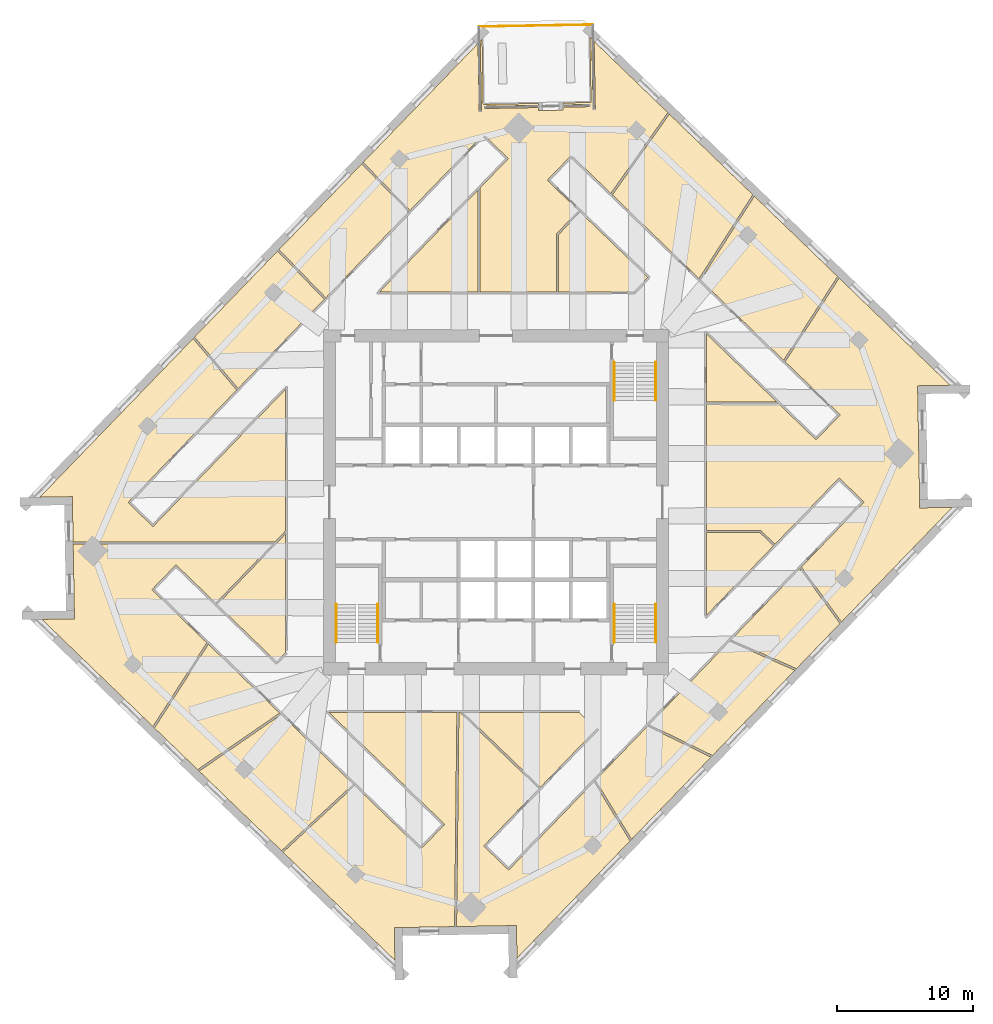
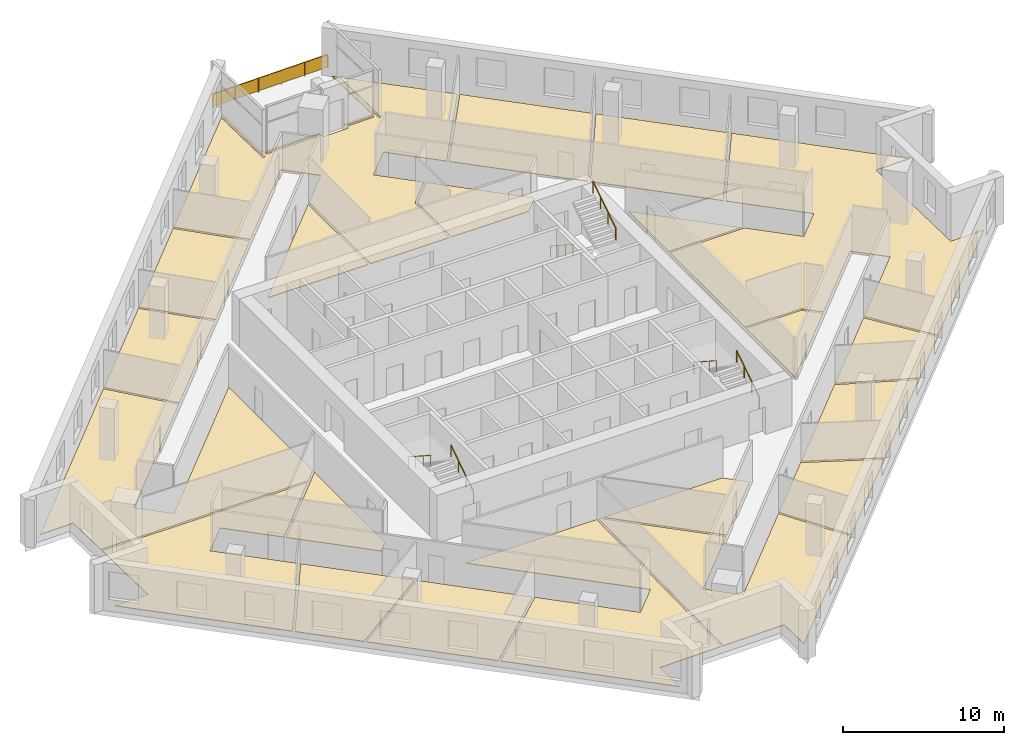
# One storey, part 12 of 13: 21 coverings, 7 railings.
"""IFC4 building model written with IfcOpenShell, lengths in metres."""

from ifc_helpers import new_model, si_unit, direction, frame, origin, origin_2d, place, context, subcontext, project, spatial, polyline, rectangle, circle, outline, extrude, material, layer, layer_set, type_object, element, save


model = new_model("IFC4")

# Units and contexts
model_context = context("Model", 3, precision=1e-05, world=origin(), true_north=direction((0.0, 1.0)))
body_context = subcontext(model_context, "Body", "Model", "MODEL_VIEW")
ifc_project = project(units=[si_unit("LENGTHUNIT", "METRE"), si_unit("AREAUNIT", "SQUARE_METRE"), si_unit("VOLUMEUNIT", "CUBIC_METRE"), si_unit("PLANEANGLEUNIT", "RADIAN"), si_unit("MASSUNIT", "GRAM", prefix="KILO")], contexts=[model_context])

# Site, building, storey
site_placement = place(None, origin())
site = spatial("IfcSite", under=ifc_project, at=site_placement, CompositionType="ELEMENT")
building_placement = place(site_placement, origin())
building = spatial("IfcBuilding", under=site, at=building_placement, Name="Dilmun Exchange Tower", CompositionType="ELEMENT")
storey_placement = place(building_placement, frame((0.0, 0.0, 213.300048828125)))
storey = spatial("IfcBuildingStorey", under=building, at=storey_placement, Name="L50", CompositionType="ELEMENT", Elevation=213.300048828125)

# Coverings
ifc_material_1 = material(Name="Carpet floor finish 50")
ifc_layer_1 = layer(ifc_material_1, 0.050048828125)
ifc_layer_set_1 = layer_set([ifc_layer_1], Name="Carpet floor finish 50")
covering_type_1 = type_object("IfcCoveringType", Name="Carpet floor finish 50", PredefinedType="FLOORING", material=ifc_layer_set_1)
covering_1_placement = place(storey_placement, origin())
element("IfcCovering", 1, at=covering_1_placement, inside=storey, type_object=covering_type_1, Name="Carpet floor finish 50 Members library", PredefinedType="FLOORING", context=body_context, shape_type="SweptSolid", body=[
    extrude(outline(polyline([(-23.539794921875, -4.594482421875), (-25.311279296875, -6.428955078125), (-21.268310546875, -10.333251953125), (-25.23681640625, -16.497314453125), (-33.4033203125, -8.61083984375), (-31.010498046875, -8.569091796875), (-31.01025390625, -8.569091796875), (-31.010009765625, -8.569091796875), (-31.010009765625, -8.569091796875), (-31.009765625, -8.569091796875), (-31.009521484375, -8.56884765625), (-31.009521484375, -8.56884765625), (-31.00927734375, -8.568603515625), (-31.009033203125, -8.568603515625), (-31.009033203125, -8.568359375), (-31.0087890625, -8.568115234375), (-31.0087890625, -8.568115234375), (-31.0087890625, -8.56787109375), (-31.008544921875, -8.567626953125), (-31.008544921875, -8.5673828125), (-31.008544921875, -8.5673828125), (-31.008544921875, -8.567138671875), (-31.01904296875, -7.96728515625), (-31.01904296875, -7.967041015625), (-31.01904296875, -7.967041015625), (-31.1044921875, -3.06982421875), (-16.412353515625, -3.06982421875), (-20.61376953125, -7.42041015625), (-23.539794921875, -4.594482421875)])), origin(), (0.0, 0.0, 1.0), 0.050048828125),
])
covering_2_placement = place(storey_placement, origin())
element("IfcCovering", 2, at=covering_2_placement, inside=storey, type_object=covering_type_1, Name="Carpet floor finish 50 Club dining room", PredefinedType="FLOORING", context=body_context, shape_type="SweptSolid", body=[
    extrude(outline(polyline([(-16.267333984375, -2.919921875), (-31.107177734375, -2.919921875), (-31.15478515625, -0.190185546875), (-31.15478515625, -0.18994140625), (-31.15478515625, -0.18994140625), (-31.165283203125, 0.40966796875), (-31.165283203125, 0.409912109375), (-31.165283203125, 0.41015625), (-31.165283203125, 0.410400390625), (-31.165283203125, 0.410400390625), (-31.16552734375, 0.41064453125), (-31.16552734375, 0.410888671875), (-31.165771484375, 0.410888671875), (-31.165771484375, 0.4111328125), (-31.166015625, 0.4111328125), (-31.166259765625, 0.411376953125), (-31.166259765625, 0.411376953125), (-31.16650390625, 0.41162109375), (-31.166748046875, 0.41162109375), (-31.1669921875, 0.41162109375), (-31.1669921875, 0.41162109375), (-31.167236328125, 0.41162109375), (-33.559814453125, 0.369873046875), (-22.28515625, 12.04541015625), (-19.07421875, 8.2578125), (-27.06640625, -0.01806640625), (-25.23193359375, -1.78955078125), (-15.47509765625, 8.314208984375), (-15.47509765625, -2.09912109375), (-16.267333984375, -2.919921875)])), origin(), (0.0, 0.0, 1.0), 0.050048828125),
])
covering_3_placement = place(storey_placement, origin())
element("IfcCovering", 3, at=covering_3_placement, inside=storey, type_object=covering_type_1, Name="Carpet floor finish 50 Meeting room 1", PredefinedType="FLOORING", context=body_context, shape_type="SweptSolid", body=[
    extrude(outline(polyline([(-21.158203125, -10.439453125), (-15.913818359375, -15.50390625), (-21.94970703125, -19.67138671875), (-25.126708984375, -16.603515625), (-21.158203125, -10.439453125)])), origin(), (0.0, 0.0, 1.0), 0.050048828125),
])
covering_4_placement = place(storey_placement, origin())
element("IfcCovering", 4, at=covering_4_placement, inside=storey, type_object=covering_type_1, Name="Carpet floor finish 50 Meeting room 2", PredefinedType="FLOORING", context=body_context, shape_type="SweptSolid", body=[
    extrude(outline(polyline([(-12.62939453125, 14.931884765625), (-18.969482421875, 8.3662109375), (-22.180419921875, 12.15380859375), (-16.069091796875, 18.482421875), (-12.62939453125, 14.931884765625)])), origin(), (0.0, 0.0, 1.0), 0.050048828125),
])
covering_5_placement = place(storey_placement, origin())
element("IfcCovering", 5, at=covering_5_placement, inside=storey, type_object=covering_type_1, Name="Carpet floor finish 50 Business centre 1", PredefinedType="FLOORING", context=body_context, shape_type="SweptSolid", body=[
    extrude(outline(polyline([(-10.498291015625, -20.733642578125), (-15.776611328125, -25.6328125), (-21.839599609375, -19.77783203125), (-15.803955078125, -15.610107421875), (-10.498291015625, -20.733642578125)])), origin(), (0.0, 0.0, 1.0), 0.050048828125),
])
covering_6_placement = place(storey_placement, origin())
element("IfcCovering", 6, at=covering_6_placement, inside=storey, type_object=covering_type_1, Name="Carpet floor finish 50 Serviced office 1", PredefinedType="FLOORING", context=body_context, shape_type="SweptSolid", body=[
    extrude(outline(polyline([(-6.427490234375, 21.35400390625), (-12.525146484375, 15.039794921875), (-15.964599609375, 18.59033203125), (-9.87890625, 24.892578125), (-6.427490234375, 21.35400390625)])), origin(), (0.0, 0.0, 1.0), 0.050048828125),
])
covering_7_placement = place(storey_placement, origin())
element("IfcCovering", 7, at=covering_7_placement, inside=storey, type_object=covering_type_1, Name="Carpet floor finish 50 Members lounge", PredefinedType="FLOORING", context=body_context, shape_type="SweptSolid", body=[
    extrude(outline(polyline([(-10.39013671875, -20.837890625), (-5.54150390625, -25.520263671875), (-3.770263671875, -23.68603515625), (-12.27294921875, -15.47509765625), (-2.879638671875, -15.47509765625), (-3.04931640625, -31.211181640625), (-6.8798828125, -31.278076171875), (-6.8798828125, -31.2783203125), (-6.8798828125, -31.2783203125), (-7.479736328125, -31.28857421875), (-7.47998046875, -31.28857421875), (-7.47998046875, -31.288818359375), (-7.480224609375, -31.288818359375), (-7.48046875, -31.288818359375), (-7.480712890625, -31.288818359375), (-7.480712890625, -31.2890625), (-7.48095703125, -31.2890625), (-7.481201171875, -31.289306640625), (-7.481201171875, -31.289306640625), (-7.481201171875, -31.28955078125), (-7.4814453125, -31.289794921875), (-7.4814453125, -31.289794921875), (-7.481689453125, -31.2900390625), (-7.481689453125, -31.290283203125), (-7.481689453125, -31.29052734375), (-7.481689453125, -31.290771484375), (-7.43994140625, -33.683349609375), (-15.66845703125, -25.737060546875), (-10.39013671875, -20.837890625)])), origin(), (0.0, 0.0, 1.0), 0.050048828125),
])
covering_8_placement = place(storey_placement, origin())
element("IfcCovering", 8, at=covering_8_placement, inside=storey, type_object=covering_type_1, Name="Carpet floor finish 50 Garden lounge", PredefinedType="FLOORING", context=body_context, shape_type="SweptSolid", body=[
    extrude(outline(polyline([(0.90771484375, 25.279052734375), (-0.926513671875, 27.05029296875), (-6.3232421875, 21.4619140625), (-9.774658203125, 25.00048828125), (-1.32470703125, 33.75048828125), (-1.2373046875, 28.73828125), (-1.2373046875, 28.738037109375), (-1.2373046875, 28.73779296875), (-1.2373046875, 28.737548828125), (-1.237060546875, 28.7373046875), (-1.237060546875, 28.7373046875), (-1.23681640625, 28.737060546875), (-1.23681640625, 28.73681640625), (-1.23681640625, 28.73681640625), (-1.236572265625, 28.736572265625), (-1.236328125, 28.736572265625), (-1.236083984375, 28.736328125), (-1.236083984375, 28.736328125), (-1.23583984375, 28.736328125), (-1.235595703125, 28.736083984375), (-1.2353515625, 28.736083984375), (-1.2353515625, 28.736083984375), (-1.0751953125, 28.739013671875), (-1.0751953125, 28.739013671875), (-1.074951171875, 28.739013671875), (-1.07470703125, 28.739013671875), (-1.074462890625, 28.7392578125), (-1.07421875, 28.7392578125), (-1.07421875, 28.739501953125), (-1.073974609375, 28.739501953125), (-1.073974609375, 28.739501953125), (-1.07373046875, 28.73974609375), (-1.073486328125, 28.739990234375), (-1.073486328125, 28.739990234375), (-1.073486328125, 28.740234375), (-1.073486328125, 28.740478515625), (-1.0732421875, 28.740478515625), (-1.0732421875, 28.74072265625), (-1.0732421875, 28.740966796875), (-1.163818359375, 33.91748046875), (-1.023193359375, 34.062744140625), (-0.939453125, 29.268310546875), (3.1220703125, 29.33935546875), (3.12451171875, 29.1962890625), (-0.862060546875, 29.126708984375), (-0.8623046875, 29.126708984375), (-0.8623046875, 29.126708984375), (-0.862548828125, 29.126708984375), (-0.86279296875, 29.12646484375), (-0.863037109375, 29.12646484375), (-0.863037109375, 29.126220703125), (-0.86328125, 29.126220703125), (-0.86328125, 29.126220703125), (-0.863525390625, 29.1259765625), (-0.86376953125, 29.125732421875), (-0.86376953125, 29.12548828125), (-0.864013671875, 29.12548828125), (-0.864013671875, 29.125244140625), (-0.864013671875, 29.125), (-0.864013671875, 29.124755859375), (-0.864013671875, 29.124755859375), (-0.861083984375, 28.964599609375), (-0.861083984375, 28.964599609375), (-0.861083984375, 28.96435546875), (-0.861083984375, 28.964111328125), (-0.861083984375, 28.9638671875), (-0.86083984375, 28.963623046875), (-0.86083984375, 28.963623046875), (-0.860595703125, 28.96337890625), (-0.860595703125, 28.96337890625), (-0.8603515625, 28.963134765625), (-0.8603515625, 28.962890625), (-0.860107421875, 28.962890625), (-0.85986328125, 28.962890625), (-0.859619140625, 28.962890625), (-0.859619140625, 28.962646484375), (-0.859375, 28.962646484375), (-0.859130859375, 28.962646484375), (3.127197265625, 29.032470703125), (3.131103515625, 28.814453125), (3.131103515625, 28.814208984375), (3.131103515625, 28.81396484375), (3.131103515625, 28.813720703125), (3.13134765625, 28.813720703125), (3.13134765625, 28.8134765625), (3.131591796875, 28.813232421875), (3.131591796875, 28.813232421875), (3.131591796875, 28.81298828125), (3.1318359375, 28.81298828125), (3.132080078125, 28.812744140625), (3.132080078125, 28.812744140625), (3.13232421875, 28.8125), (3.132568359375, 28.8125), (3.1328125, 28.8125), (3.133056640625, 28.8125), (3.13330078125, 28.8125), (4.932861328125, 28.84375), (4.93310546875, 28.843994140625), (4.933349609375, 28.843994140625), (4.933349609375, 28.843994140625), (4.93359375, 28.843994140625), (4.933837890625, 28.843994140625), (4.93408203125, 28.84423828125), (4.93408203125, 28.84423828125), (4.934326171875, 28.844482421875), (4.934326171875, 28.844482421875), (4.9345703125, 28.8447265625), (4.9345703125, 28.844970703125), (4.934814453125, 28.84521484375), (4.934814453125, 28.84521484375), (4.934814453125, 28.845458984375), (4.934814453125, 28.845703125), (4.934814453125, 28.845947265625), (4.930908203125, 29.063720703125), (6.917724609375, 29.098388671875), (6.91796875, 29.098388671875), (6.918212890625, 29.0986328125), (6.91845703125, 29.0986328125), (6.918701171875, 29.0986328125), (6.918701171875, 29.098876953125), (6.9189453125, 29.098876953125), (6.919189453125, 29.09912109375), (6.919189453125, 29.09912109375), (6.91943359375, 29.099365234375), (6.91943359375, 29.099365234375), (6.919677734375, 29.099609375), (6.919677734375, 29.099853515625), (6.919677734375, 29.10009765625), (6.919921875, 29.10009765625), (6.919921875, 29.100341796875), (6.919921875, 29.1005859375), (6.9169921875, 29.260498046875), (6.9169921875, 29.2607421875), (6.9169921875, 29.260986328125), (6.9169921875, 29.260986328125), (6.916748046875, 29.26123046875), (6.916748046875, 29.261474609375), (6.91650390625, 29.26171875), (6.91650390625, 29.26171875), (6.91650390625, 29.261962890625), (6.916259765625, 29.26220703125), (6.916015625, 29.26220703125), (6.916015625, 29.26220703125), (6.915771484375, 29.26220703125), (6.91552734375, 29.262451171875), (6.915283203125, 29.262451171875), (6.915283203125, 29.262451171875), (6.9150390625, 29.262451171875), (4.92822265625, 29.227783203125), (4.92578125, 29.370849609375), (6.987548828125, 29.40673828125), (6.90380859375, 34.201171875), (7.04931640625, 34.060546875), (7.1396484375, 28.884521484375), (7.1396484375, 28.88427734375), (7.1396484375, 28.884033203125), (7.1396484375, 28.8837890625), (7.139892578125, 28.883544921875), (7.139892578125, 28.88330078125), (7.139892578125, 28.88330078125), (7.14013671875, 28.883056640625), (7.14013671875, 28.883056640625), (7.140380859375, 28.8828125), (7.140380859375, 28.8828125), (7.140625, 28.882568359375), (7.140869140625, 28.882568359375), (7.14111328125, 28.882568359375), (7.141357421875, 28.88232421875), (7.1416015625, 28.88232421875), (7.1416015625, 28.88232421875), (7.301513671875, 28.88525390625), (7.3017578125, 28.88525390625), (7.302001953125, 28.88525390625), (7.30224609375, 28.88525390625), (7.302490234375, 28.885498046875), (7.302490234375, 28.885498046875), (7.302734375, 28.885498046875), (7.302978515625, 28.8857421875), (7.302978515625, 28.8857421875), (7.30322265625, 28.885986328125), (7.30322265625, 28.885986328125), (7.303466796875, 28.88623046875), (7.303466796875, 28.886474609375), (7.303466796875, 28.88671875), (7.3037109375, 28.88671875), (7.3037109375, 28.886962890625), (7.3037109375, 28.88720703125), (7.216064453125, 33.8994140625), (12.639892578125, 28.661865234375), (8.444580078125, 22.716796875), (5.54150390625, 25.520263671875), (3.770263671875, 23.68603515625), (6.08740234375, 21.4482421875), (4.459228515625, 19.762451171875), (4.459228515625, 15.47509765625), (-1.1845703125, 15.47509765625), (-1.1845703125, 23.1123046875), (0.90771484375, 25.279052734375)])), origin(), (0.0, 0.0, 1.0), 0.050048828125),
])
covering_9_placement = place(storey_placement, origin())
element("IfcCovering", 9, at=covering_9_placement, inside=storey, type_object=covering_type_1, Name="Carpet floor finish 50 Cafe", PredefinedType="FLOORING", context=body_context, shape_type="SweptSolid", body=[
    extrude(outline(polyline([(7.2001953125, -20.553955078125), (9.8662109375, -24.905517578125), (1.541015625, -33.526611328125), (1.499267578125, -31.1337890625), (1.4990234375, -31.1337890625), (1.4990234375, -31.133544921875), (1.4990234375, -31.13330078125), (1.4990234375, -31.13330078125), (1.498779296875, -31.133056640625), (1.498779296875, -31.1328125), (1.498779296875, -31.1328125), (1.49853515625, -31.132568359375), (1.498291015625, -31.13232421875), (1.498291015625, -31.13232421875), (1.498046875, -31.132080078125), (1.497802734375, -31.132080078125), (1.497802734375, -31.132080078125), (1.49755859375, -31.132080078125), (1.497314453125, -31.132080078125), (1.4970703125, -31.132080078125), (0.897216796875, -31.142333984375), (0.89697265625, -31.142333984375), (0.89697265625, -31.142578125), (-2.8994140625, -31.208740234375), (-2.729736328125, -15.47509765625), (-2.629638671875, -15.47509765625), (3.160400390625, -21.06640625), (-0.90771484375, -25.279052734375), (0.926513671875, -27.05029296875), (7.2001953125, -20.553955078125)])), origin(), (0.0, 0.0, 1.0), 0.050048828125),
])
covering_10_placement = place(storey_placement, origin())
element("IfcCovering", 10, at=covering_10_placement, inside=storey, type_object=covering_type_1, Name="Carpet floor finish 50 Business centre 2", PredefinedType="FLOORING", context=body_context, shape_type="SweptSolid", body=[
    extrude(outline(polyline([(10.147705078125, 15.47509765625), (4.609130859375, 15.47509765625), (4.609130859375, 19.701904296875), (6.1953125, 21.343994140625), (11.17333984375, 16.536865234375), (10.147705078125, 15.47509765625)])), origin(), (0.0, 0.0, 1.0), 0.050048828125),
])
covering_11_placement = place(storey_placement, origin())
element("IfcCovering", 11, at=covering_11_placement, inside=storey, type_object=covering_type_1, Name="Carpet floor finish 50 Serviced office 2", PredefinedType="FLOORING", context=body_context, shape_type="SweptSolid", body=[
    extrude(outline(polyline([(15.81591796875, -18.74462890625), (9.973876953125, -24.794189453125), (7.307861328125, -20.4423828125), (11.14599609375, -16.4677734375), (15.81591796875, -18.74462890625)])), origin(), (0.0, 0.0, 1.0), 0.050048828125),
])
covering_12_placement = place(storey_placement, origin())
element("IfcCovering", 12, at=covering_12_placement, inside=storey, type_object=covering_type_1, Name="Carpet floor finish 50 Serviced office 3", PredefinedType="FLOORING", context=body_context, shape_type="SweptSolid", body=[
    extrude(outline(polyline([(14.931396484375, 16.45263671875), (8.5537109375, 22.611328125), (12.7490234375, 28.556396484375), (18.89306640625, 22.623291015625), (14.931396484375, 16.45263671875)])), origin(), (0.0, 0.0, 1.0), 0.050048828125),
])
covering_13_placement = place(storey_placement, origin())
element("IfcCovering", 13, at=covering_13_placement, inside=storey, type_object=covering_type_1, Name="Carpet floor finish 50 Serviced office 4", PredefinedType="FLOORING", context=body_context, shape_type="SweptSolid", body=[
    extrude(outline(polyline([(11.255615234375, -16.354248046875), (17.171630859375, -10.22802734375), (21.986572265625, -12.3544921875), (15.92529296875, -18.631103515625), (11.255615234375, -16.354248046875)])), origin(), (0.0, 0.0, 1.0), 0.050048828125),
])
covering_14_placement = place(storey_placement, origin())
element("IfcCovering", 14, at=covering_14_placement, inside=storey, type_object=covering_type_1, Name="Carpet floor finish 50 Business centre 3", PredefinedType="FLOORING", context=body_context, shape_type="SweptSolid", body=[
    extrude(outline(polyline([(15.47509765625, -2.2373046875), (19.42333984375, -2.2373046875), (20.416748046875, -3.19677734375), (15.47509765625, -8.314208984375), (15.47509765625, -2.2373046875)])), origin(), (0.0, 0.0, 1.0), 0.050048828125),
])
covering_15_placement = place(storey_placement, origin())
element("IfcCovering", 15, at=covering_15_placement, inside=storey, type_object=covering_type_1, Name="Carpet floor finish 50 Business centre 4", PredefinedType="FLOORING", context=body_context, shape_type="SweptSolid", body=[
    extrude(outline(polyline([(17.28271484375, -10.113037109375), (22.345703125, -4.870361328125), (25.30419921875, -8.9189453125), (22.097412109375, -12.239501953125), (17.28271484375, -10.113037109375)])), origin(), (0.0, 0.0, 1.0), 0.050048828125),
])
covering_16_placement = place(storey_placement, origin())
element("IfcCovering", 16, at=covering_16_placement, inside=storey, type_object=covering_type_1, Name="Carpet floor finish 50 Co-working hall", PredefinedType="FLOORING", context=body_context, shape_type="SweptSolid", body=[
    extrude(outline(polyline([(23.539794921875, 4.594482421875), (25.311279296875, 6.428955078125), (21.2626953125, 10.338623046875), (25.236328125, 16.497802734375), (33.4033203125, 8.61083984375), (31.010498046875, 8.569091796875), (31.01025390625, 8.569091796875), (31.010009765625, 8.569091796875), (31.010009765625, 8.569091796875), (31.009765625, 8.569091796875), (31.009521484375, 8.56884765625), (31.009521484375, 8.56884765625), (31.00927734375, 8.568603515625), (31.009033203125, 8.568603515625), (31.009033203125, 8.568359375), (31.0087890625, 8.568115234375), (31.0087890625, 8.568115234375), (31.0087890625, 8.56787109375), (31.008544921875, 8.567626953125), (31.008544921875, 8.5673828125), (31.008544921875, 8.5673828125), (31.008544921875, 8.567138671875), (31.01904296875, 7.96728515625), (31.01904296875, 7.967041015625), (31.01904296875, 7.967041015625), (31.15478515625, 0.190185546875), (31.15478515625, 0.18994140625), (31.15478515625, 0.18994140625), (31.165283203125, -0.40966796875), (31.165283203125, -0.409912109375), (31.165283203125, -0.41015625), (31.165283203125, -0.410400390625), (31.165283203125, -0.410400390625), (31.16552734375, -0.41064453125), (31.16552734375, -0.410888671875), (31.165771484375, -0.410888671875), (31.165771484375, -0.4111328125), (31.166015625, -0.4111328125), (31.166259765625, -0.411376953125), (31.166259765625, -0.411376953125), (31.16650390625, -0.41162109375), (31.166748046875, -0.41162109375), (31.1669921875, -0.41162109375), (31.1669921875, -0.41162109375), (31.167236328125, -0.41162109375), (33.559814453125, -0.369873046875), (25.409912109375, -8.809326171875), (22.451416015625, -4.7607421875), (27.06640625, 0.01806640625), (25.23193359375, 1.78955078125), (20.52099609375, -3.0888671875), (19.48388671875, -2.087158203125), (15.47509765625, -2.087158203125), (15.47509765625, 7.21826171875), (20.822998046875, 7.21826171875), (23.539794921875, 4.594482421875)])), origin(), (0.0, 0.0, 1.0), 0.050048828125),
])

# Railings
ifc_material_2 = material(Name="Stainless steel", Category="steel")
railing_type_1 = type_object("IfcRailingType", Name="Stair handrail 900", PredefinedType="HANDRAIL", material=ifc_material_2)
railing_1_placement = place(storey_placement, frame((8.699951171875, 10.300048828125, 0.181884765625)))
element("IfcRailing", 17, at=railing_1_placement, inside=storey, type_object=railing_type_1, Name="L50 ST1 stair handrail 1", PredefinedType="HANDRAIL", context=body_context, shape_type="SweptSolid", body=[
    extrude(circle(Radius=0.02392578125, at=origin_2d()), frame((0.0, 0.0, 0.8759765625), z_axis=(0.0, -0.838705829183, 0.544584733623), x_axis=(1.0, 0.0, 0.0)), (0.0, 0.0, 1.0), 3.338623046875),
    extrude(circle(Radius=0.02099609375, at=origin_2d()), origin(), (0.0, 0.0, 1.0), 0.851806640625),
    extrude(circle(Radius=0.02099609375, at=origin_2d()), frame((0.0, -0.933349609375, 0.60595703125)), (0.0, 0.0, 1.0), 0.851806640625),
    extrude(circle(Radius=0.02099609375, at=origin_2d()), frame((0.0, -1.86669921875, 1.212158203125)), (0.0, 0.0, 1.0), 0.851806640625),
    extrude(circle(Radius=0.02099609375, at=origin_2d()), frame((0.0, -2.800048828125, 1.818115234375)), (0.0, 0.0, 1.0), 0.851806640625),
])
for number, where, name in (
    (18, (11.75, 7.5, 2.181884765625), "L50 ST1 stair handrail 2"),
    (19, (-8.699951171875, -10.300048828125, 0.181884765625), "L50 ST2 stair handrail 1"),
):
    element("IfcRailing", number, at=place(storey_placement, frame(where)), inside=storey, type_object=railing_type_1, Name=name, PredefinedType="HANDRAIL", context=body_context, shape_type="SweptSolid", body=[
        extrude(circle(Radius=0.02392578125, at=origin_2d()), frame((0.0, 0.0, 0.8759765625), z_axis=(0.0, 0.838705829183, 0.544584733623), x_axis=(-1.0, 0.0, 0.0)), (0.0, 0.0, 1.0), 3.338623046875),
        extrude(circle(Radius=0.02099609375, at=origin_2d()), origin(), (0.0, 0.0, 1.0), 0.851806640625),
        extrude(circle(Radius=0.02099609375, at=origin_2d()), frame((0.0, 0.933349609375, 0.60595703125)), (0.0, 0.0, 1.0), 0.851806640625),
        extrude(circle(Radius=0.02099609375, at=origin_2d()), frame((0.0, 1.86669921875, 1.212158203125)), (0.0, 0.0, 1.0), 0.851806640625),
        extrude(circle(Radius=0.02099609375, at=origin_2d()), frame((0.0, 2.800048828125, 1.818115234375)), (0.0, 0.0, 1.0), 0.851806640625),
    ])
railing_2_placement = place(storey_placement, frame((-11.75, -7.5, 2.181884765625)))
element("IfcRailing", 20, at=railing_2_placement, inside=storey, type_object=railing_type_1, Name="L50 ST2 stair handrail 2", PredefinedType="HANDRAIL", context=body_context, shape_type="SweptSolid", body=[
    extrude(circle(Radius=0.02392578125, at=origin_2d()), frame((0.0, 0.0, 0.8759765625), z_axis=(0.0, -0.838705829183, 0.544584733623), x_axis=(1.0, 0.0, 0.0)), (0.0, 0.0, 1.0), 3.338623046875),
    extrude(circle(Radius=0.02099609375, at=origin_2d()), origin(), (0.0, 0.0, 1.0), 0.851806640625),
    extrude(circle(Radius=0.02099609375, at=origin_2d()), frame((0.0, -0.933349609375, 0.60595703125)), (0.0, 0.0, 1.0), 0.851806640625),
    extrude(circle(Radius=0.02099609375, at=origin_2d()), frame((0.0, -1.86669921875, 1.212158203125)), (0.0, 0.0, 1.0), 0.851806640625),
    extrude(circle(Radius=0.02099609375, at=origin_2d()), frame((0.0, -2.800048828125, 1.818115234375)), (0.0, 0.0, 1.0), 0.851806640625),
])
railing_3_placement = place(storey_placement, frame((11.75, -10.300048828125, 0.181884765625)))
element("IfcRailing", 21, at=railing_3_placement, inside=storey, type_object=railing_type_1, Name="L50 ST3 stair handrail 1", PredefinedType="HANDRAIL", context=body_context, shape_type="SweptSolid", body=[
    extrude(circle(Radius=0.02392578125, at=origin_2d()), frame((0.0, 0.0, 0.8759765625), z_axis=(0.0, 0.838705829183, 0.544584733623), x_axis=(-1.0, 0.0, 0.0)), (0.0, 0.0, 1.0), 3.338623046875),
    extrude(circle(Radius=0.02099609375, at=origin_2d()), origin(), (0.0, 0.0, 1.0), 0.851806640625),
    extrude(circle(Radius=0.02099609375, at=origin_2d()), frame((0.0, 0.933349609375, 0.60595703125)), (0.0, 0.0, 1.0), 0.851806640625),
    extrude(circle(Radius=0.02099609375, at=origin_2d()), frame((0.0, 1.86669921875, 1.212158203125)), (0.0, 0.0, 1.0), 0.851806640625),
    extrude(circle(Radius=0.02099609375, at=origin_2d()), frame((0.0, 2.800048828125, 1.818115234375)), (0.0, 0.0, 1.0), 0.851806640625),
])
railing_4_placement = place(storey_placement, frame((8.699951171875, -7.5, 2.181884765625)))
element("IfcRailing", 22, at=railing_4_placement, inside=storey, type_object=railing_type_1, Name="L50 ST3 stair handrail 2", PredefinedType="HANDRAIL", context=body_context, shape_type="SweptSolid", body=[
    extrude(circle(Radius=0.02392578125, at=origin_2d()), frame((0.0, 0.0, 0.8759765625), z_axis=(0.0, -0.838705829183, 0.544584733623), x_axis=(1.0, 0.0, 0.0)), (0.0, 0.0, 1.0), 3.338623046875),
    extrude(circle(Radius=0.02099609375, at=origin_2d()), origin(), (0.0, 0.0, 1.0), 0.851806640625),
    extrude(circle(Radius=0.02099609375, at=origin_2d()), frame((0.0, -0.933349609375, 0.60595703125)), (0.0, 0.0, 1.0), 0.851806640625),
    extrude(circle(Radius=0.02099609375, at=origin_2d()), frame((0.0, -1.86669921875, 1.212158203125)), (0.0, 0.0, 1.0), 0.851806640625),
    extrude(circle(Radius=0.02099609375, at=origin_2d()), frame((0.0, -2.800048828125, 1.818115234375)), (0.0, 0.0, 1.0), 0.851806640625),
])

# Coverings
ifc_material_3 = material(Name="Stone floor finish 50", Category="masonry")
ifc_layer_2 = layer(ifc_material_3, 0.050048828125)
ifc_layer_set_2 = layer_set([ifc_layer_2], Name="Stone floor finish 50")
covering_type_2 = type_object("IfcCoveringType", Name="Stone floor finish 50", PredefinedType="FLOORING", material=ifc_layer_set_2)
covering_17_placement = place(storey_placement, origin())
element("IfcCovering", 23, at=covering_17_placement, inside=storey, type_object=covering_type_2, Name="Stone floor finish 50 Reception 1", PredefinedType="FLOORING", context=body_context, shape_type="SweptSolid", body=[
    extrude(outline(polyline([(-1.334716796875, 22.95703125), (-1.334716796875, 15.47509765625), (-8.559814453125, 15.47509765625), (-1.334716796875, 22.95703125)])), origin(), (0.0, 0.0, 1.0), 0.050048828125),
])
covering_18_placement = place(storey_placement, origin())
element("IfcCovering", 24, at=covering_18_placement, inside=storey, type_object=covering_type_2, Name="Stone floor finish 50 Reception 2", PredefinedType="FLOORING", context=body_context, shape_type="SweptSolid", body=[
    extrude(outline(polyline([(7.382568359375, -16.694091796875), (3.264404296875, -20.95849609375), (-2.413818359375, -15.47509765625), (6.119873046875, -15.47509765625), (7.382568359375, -16.694091796875)])), origin(), (0.0, 0.0, 1.0), 0.050048828125),
])
covering_19_placement = place(storey_placement, origin())
element("IfcCovering", 25, at=covering_19_placement, inside=storey, type_object=covering_type_2, Name="Stone floor finish 50 Reception 3", PredefinedType="FLOORING", context=body_context, shape_type="SweptSolid", body=[
    extrude(outline(polyline([(20.667724609375, 7.368408203125), (15.47509765625, 7.368408203125), (15.47509765625, 12.3828125), (20.667724609375, 7.368408203125)])), origin(), (0.0, 0.0, 1.0), 0.050048828125),
])
covering_20_placement = place(storey_placement, origin())
element("IfcCovering", 26, at=covering_20_placement, inside=storey, type_object=covering_type_2, Name="Stone floor finish 50 Reception 4", PredefinedType="FLOORING", context=body_context, shape_type="SweptSolid", body=[
    extrude(outline(polyline([(21.152587890625, 10.44482421875), (15.04150390625, 16.346435546875), (19.0029296875, 22.51708984375), (25.126220703125, 16.60400390625), (21.152587890625, 10.44482421875)])), origin(), (0.0, 0.0, 1.0), 0.050048828125),
])

# Railing
railing_type_2 = type_object("IfcRailingType", Name="Terrace guard 1100 stainless steel", PredefinedType="GUARDRAIL", material=ifc_material_2)
railing_5_placement = place(storey_placement, frame((-1.264404296875, 34.985107421875, 0.0)))
element("IfcRailing", 27, at=railing_5_placement, inside=storey, type_object=railing_type_2, Name="Terrace guard 1", PredefinedType="GUARDRAIL", context=body_context, shape_type="SweptSolid", body=[
    extrude(circle(Radius=0.02392578125, at=origin_2d()), frame((0.0, 0.0, 1.076171875), z_axis=(0.999847653553, 0.017454789709, 0.0), x_axis=(-0.017454789709, 0.999847653553, 0.0)), (0.0, 0.0, 1.0), 8.378173828125),
    extrude(rectangle(XDim=0.011962890625, YDim=0.951904296875, at=origin_2d()), frame((0.0, 0.0, 0.576171875), z_axis=(0.999847653553, 0.017454789709, 0.0), x_axis=(-0.017454789709, 0.999847653553, 0.0)), (0.0, 0.0, 1.0), 8.378173828125),
    extrude(circle(Radius=0.02099609375, at=origin_2d()), origin(), (0.0, 0.0, 1.0), 1.052001953125),
    extrude(circle(Radius=0.02099609375, at=origin_2d()), frame((1.67529296875, 0.029296875, 0.0)), (0.0, 0.0, 1.0), 1.052001953125),
    extrude(circle(Radius=0.02099609375, at=origin_2d()), frame((3.350830078125, 0.05859375, 0.0)), (0.0, 0.0, 1.0), 1.052001953125),
    extrude(circle(Radius=0.02099609375, at=origin_2d()), frame((5.026123046875, 0.087646484375, 0.0)), (0.0, 0.0, 1.0), 1.052001953125),
    extrude(circle(Radius=0.02099609375, at=origin_2d()), frame((6.70166015625, 0.116943359375, 0.0)), (0.0, 0.0, 1.0), 1.052001953125),
    extrude(circle(Radius=0.02099609375, at=origin_2d()), frame((8.376953125, 0.146240234375, 0.0)), (0.0, 0.0, 1.0), 1.052001953125),
])

# Covering
ifc_material_4 = material(Name="Tile floor finish 50")
ifc_layer_3 = layer(ifc_material_4, 0.050048828125)
ifc_layer_set_3 = layer_set([ifc_layer_3], Name="Tile floor finish 50")
covering_type_3 = type_object("IfcCoveringType", Name="Tile floor finish 50", PredefinedType="FLOORING", material=ifc_layer_set_3)
covering_21_placement = place(storey_placement, origin())
element("IfcCovering", 28, at=covering_21_placement, inside=storey, type_object=covering_type_3, Name="Tile floor finish 50 Pantry", PredefinedType="FLOORING", context=body_context, shape_type="SweptSolid", body=[
    extrude(outline(polyline([(-16.136962890625, -11.74365234375), (-20.505859375, -7.524658203125), (-15.47509765625, -2.315185546875), (-15.47509765625, -11.05810546875), (-16.136962890625, -11.74365234375)])), origin(), (0.0, 0.0, 1.0), 0.050048828125),
])

save(model, "model.ifc")
